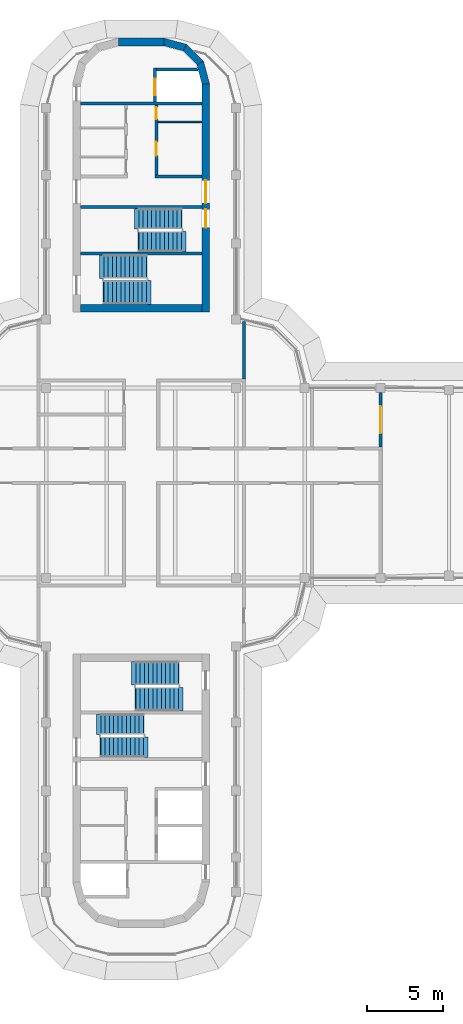
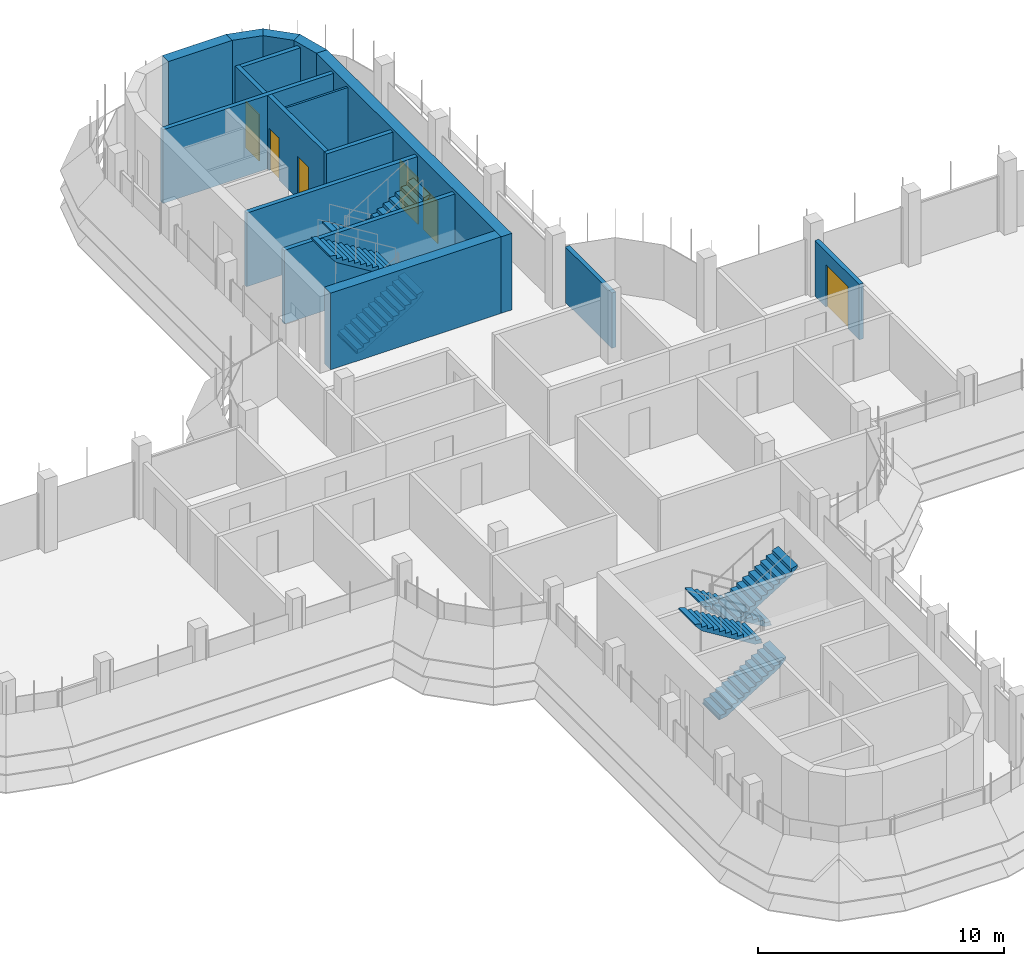
# One storey, part 15 of 19: 16 walls, 8 stair flights, 6 doors, 6 openings, 4 elements without a shape of their own.
"""IFC4 building model written with IfcOpenShell, lengths in metres."""

from ifc_helpers import new_model, si_unit, direction, frame, frame_2d, origin, place, context, subcontext, project, spatial, polyline, rectangle, outline, extrude, material, layer, layer_set, type_object, element, fill, aggregate, save


model = new_model("IFC4")

# Units and contexts
model_context = context("Model", 3, precision=1e-05, world=origin(), true_north=direction((0.0, 1.0)))
body_context = subcontext(model_context, "Body", "Model", "MODEL_VIEW")
ifc_project = project(units=[si_unit("LENGTHUNIT", "METRE"), si_unit("AREAUNIT", "SQUARE_METRE"), si_unit("VOLUMEUNIT", "CUBIC_METRE"), si_unit("PLANEANGLEUNIT", "RADIAN"), si_unit("MASSUNIT", "GRAM", prefix="KILO")], contexts=[model_context])

# Site, building, storey
site_placement = place(None, origin())
site = spatial("IfcSite", under=ifc_project, at=site_placement, CompositionType="ELEMENT")
building_placement = place(site_placement, origin())
building = spatial("IfcBuilding", under=site, at=building_placement, Name="Zarbagh Exchange Tower", CompositionType="ELEMENT")
storey_placement = place(building_placement, frame((0.0, 0.0, 253.60009765625)))
storey = spatial("IfcBuildingStorey", under=building, at=storey_placement, Name="L62", CompositionType="ELEMENT", Elevation=253.60009765625)

# Walls
ifc_material_1 = material(Name="Dense blockwork", Category="masonry")
ifc_layer_1 = layer(ifc_material_1, 0.10009765625)
ifc_layer_set_1 = layer_set([ifc_layer_1], Name="Core partition 100 mm blockwork")
wall_type_1 = type_object("IfcWallType", Name="Core partition 100 mm blockwork", PredefinedType="PARTITIONING", material=ifc_layer_set_1)
wall_1_placement = place(storey_placement, frame((1.10009765625, 23.75, 0.0), z_axis=(0.0, 0.0, 1.0), x_axis=(1.0, 0.0, 0.0)))
element("IfcWall", 1, at=wall_1_placement, inside=storey, type_object=wall_type_1, Name="North core partition wall CUT-E-460", PredefinedType="PARTITIONING", context=body_context, shape_type="SweptSolid", body=[
    extrude(rectangle(XDim=2.89990234375, YDim=0.10009765625, at=frame_2d((1.449951171875, 0.0))), origin(), (0.0, 0.0, 1.0), 3.64990234375),
])
ifc_material_2 = material(Name="Fire-rated plasterboard partition")
ifc_layer_2 = layer(ifc_material_2, 0.199951171875)
ifc_layer_set_2 = layer_set([ifc_layer_2], Name="RATED PARTITION 200")
wall_type_2 = type_object("IfcWallType", Name="RATED PARTITION 200", PredefinedType="PARTITIONING", material=ifc_layer_set_2)
wall_2_placement = place(storey_placement, frame((6.75, 6.85009765625, 0.0), z_axis=(0.0, 0.0, 1.0), x_axis=(0.0, 1.0, 0.0)))
element("IfcWall", 2, at=wall_2_placement, inside=storey, type_object=wall_type_2, Name="Partition W-2721", PredefinedType="PARTITIONING", context=body_context, shape_type="SweptSolid", body=[
    extrude(rectangle(XDim=3.77978515625, YDim=0.199951171875, at=frame_2d((1.889892578125, 0.0))), origin(), (0.0, 0.0, 1.0), 2.75),
])

# Wall, opening, door
wall_3_placement = place(storey_placement, frame((15.75, 5.949951171875, 0.0), z_axis=(0.0, 0.0, 1.0), x_axis=(0.0, -1.0, 0.0)))
wall_3 = element("IfcWall", 3, at=wall_3_placement, inside=storey, type_object=wall_type_2, Name="Partition W-2739", PredefinedType="PARTITIONING", context=body_context, shape_type="SweptSolid", body=[
    extrude(rectangle(XDim=3.599853515625, YDim=0.199951171875, at=frame_2d((1.7998046875, 0.0))), origin(), (0.0, 0.0, 1.0), 2.75),
])
opening_1_placement = place(wall_3_placement, frame((0.89990234375, 0.0, 0.0)))
opening_1 = element("IfcOpeningElement", 4, at=opening_1_placement, cuts=wall_3, Name="Opening D-2701", PredefinedType="OPENING", context=body_context, shape_type="SweptSolid", body=[
    extrude(rectangle(XDim=1.800048828125, YDim=2.10009765625, at=frame_2d((0.89990234375, 1.050048828125))), frame((0.0, 0.10986328125, 0.0), z_axis=(0.0, -1.0, 0.0), x_axis=(1.0, 0.0, 0.0)), (0.0, 0.0, 1.0), 0.219970703125),
])
ifc_material_3 = material(Name="Steel door set", Category="steel")
door_type_1 = type_object("IfcDoorType", Name="FIRE DOUBLE DOOR 1800 X 2100 FD30S", OperationType="DOUBLE_DOOR_SINGLE_SWING", PredefinedType="DOOR", material=ifc_material_3)
door_1_placement = place(opening_1_placement, origin())
door_1 = element("IfcDoor", 5, at=door_1_placement, inside=storey, type_object=door_type_1, Name="Door D-2701", OperationType="DOUBLE_DOOR_SINGLE_SWING", OverallHeight=2.10009765625, OverallWidth=1.800048828125, PredefinedType="DOOR", context=body_context, shape_type="SweptSolid", body=[
    extrude(rectangle(XDim=1.800048828125, YDim=2.10009765625, at=frame_2d((0.89990234375, 1.050048828125))), frame((0.0, 0.02490234375, 0.0), z_axis=(0.0, -1.0, 0.0), x_axis=(1.0, 0.0, 0.0)), (0.0, 0.0, 1.0), 0.050048828125),
])
fill(opening_1, door_1)

# Walls
ifc_material_4 = material(Name="Concrete C40/50", Category="concrete")
ifc_layer_3 = layer(ifc_material_4, 0.5)
ifc_layer_set_3 = layer_set([ifc_layer_3], Name="RC core corner wall 500 C40/50")
wall_type_3 = type_object("IfcWallType", Name="RC core corner wall 500 C40/50", PredefinedType="SHEAR", material=ifc_layer_set_3)
wall_4_placement = place(storey_placement, origin())
element("IfcWall", 6, at=wall_4_placement, inside=storey, type_object=wall_type_3, Name="CW10 core N corner E", PredefinedType="SHEAR", context=body_context, shape_type="SweptSolid", body=[
    extrude(outline(polyline([(4.5, 26.25), (4.09814453125, 27.75), (3.6650390625, 27.5), (4.0, 26.25), (4.5, 26.25)])), origin(), (0.0, 0.0, 1.0), 3.7998046875),
])
wall_5_placement = place(storey_placement, origin())
element("IfcWall", 7, at=wall_5_placement, inside=storey, type_object=wall_type_3, Name="CW10 core N corner E", PredefinedType="SHEAR", context=body_context, shape_type="SweptSolid", body=[
    extrude(outline(polyline([(4.09814453125, 27.75), (3.0, 28.84814453125), (2.75, 28.4150390625), (3.6650390625, 27.5), (4.09814453125, 27.75)])), origin(), (0.0, 0.0, 1.0), 3.7998046875),
])
wall_6_placement = place(storey_placement, origin())
element("IfcWall", 8, at=wall_6_placement, inside=storey, type_object=wall_type_3, Name="CW10 core N corner E", PredefinedType="SHEAR", context=body_context, shape_type="SweptSolid", body=[
    extrude(outline(polyline([(3.0, 28.84814453125), (1.5, 29.25), (1.5, 28.75), (2.75, 28.4150390625), (3.0, 28.84814453125)])), origin(), (0.0, 0.0, 1.0), 3.7998046875),
])

# Wall, openings, doors
ifc_layer_4 = layer(ifc_material_4, 0.5)
ifc_layer_set_4 = layer_set([ifc_layer_4], Name="RC core wall 500 C40/50")
wall_type_4 = type_object("IfcWallType", Name="RC core wall 500 C40/50", PredefinedType="SHEAR", material=ifc_layer_set_4)
wall_7_placement = place(storey_placement, frame((4.25, 11.25, 0.0), z_axis=(0.0, 0.0, 1.0), x_axis=(0.0, 1.0, 0.0)))
wall_7 = element("IfcWall", 9, at=wall_7_placement, inside=storey, type_object=wall_type_4, Name="CW9 core N E", PredefinedType="SHEAR", context=body_context, shape_type="SweptSolid", body=[
    extrude(rectangle(XDim=15.0, YDim=0.5, at=frame_2d((7.5, 0.0))), origin(), (0.0, 0.0, 1.0), 3.7998046875),
])
opening_2_placement = place(wall_7_placement, frame((7.14990234375, 0.0, 0.0)))
opening_2 = element("IfcOpeningElement", 10, at=opening_2_placement, cuts=wall_7, Name="Opening CD1-1500", PredefinedType="OPENING", context=body_context, shape_type="SweptSolid", body=[
    extrude(rectangle(XDim=1.5, YDim=2.300048828125, at=frame_2d((0.75, 1.14990234375))), frame((0.0, 0.260009765625, 0.0), z_axis=(0.0, -1.0, 0.0), x_axis=(1.0, 0.0, 0.0)), (0.0, 0.0, 1.0), 0.52001953125),
])
opening_3_placement = place(wall_7_placement, frame((5.550048828125, 0.0, 0.0)))
opening_3 = element("IfcOpeningElement", 11, at=opening_3_placement, cuts=wall_7, Name="Opening SD1-1200", PredefinedType="OPENING", context=body_context, shape_type="SweptSolid", body=[
    extrude(rectangle(XDim=1.199951171875, YDim=2.10009765625, at=frame_2d((0.60009765625, 1.050048828125))), frame((0.0, 0.260009765625, 0.0), z_axis=(0.0, -1.0, 0.0), x_axis=(1.0, 0.0, 0.0)), (0.0, 0.0, 1.0), 0.52001953125),
])
ifc_material_5 = material(Name="Steel", Category="steel")
door_type_2 = type_object("IfcDoorType", Name="Exit stair door 1200 x 2100", OperationType="NOTDEFINED", PredefinedType="DOOR", material=ifc_material_5)
door_2_placement = place(opening_3_placement, origin())
door_2 = element("IfcDoor", 12, at=door_2_placement, inside=storey, type_object=door_type_2, Name="North core stair door ST1", OperationType="SINGLE_SWING_LEFT", OverallHeight=2.10009765625, OverallWidth=1.199951171875, PredefinedType="DOOR", context=body_context, shape_type="SweptSolid", body=[
    extrude(rectangle(XDim=1.199951171875, YDim=2.10009765625, at=frame_2d((0.60009765625, 1.050048828125))), frame((0.0, 0.02490234375, 0.0), z_axis=(0.0, -1.0, 0.0), x_axis=(1.0, 0.0, 0.0)), (0.0, 0.0, 1.0), 0.050048828125),
])
fill(opening_3, door_2)
door_type_3 = type_object("IfcDoorType", Name="Lift lobby double door 1500 x 2300", OperationType="NOTDEFINED", PredefinedType="DOOR", material=ifc_material_5)
door_3_placement = place(opening_2_placement, origin())
door_3 = element("IfcDoor", 13, at=door_3_placement, inside=storey, type_object=door_type_3, Name="North core lift lobby door LOBBY-E", OperationType="DOUBLE_DOOR_SINGLE_SWING", OverallHeight=2.300048828125, OverallWidth=1.5, PredefinedType="DOOR", context=body_context, shape_type="SweptSolid", body=[
    extrude(rectangle(XDim=1.5, YDim=2.300048828125, at=frame_2d((0.75, 1.14990234375))), frame((0.0, 0.02490234375, 0.0), z_axis=(0.0, -1.0, 0.0), x_axis=(1.0, 0.0, 0.0)), (0.0, 0.0, 1.0), 0.050048828125),
])
fill(opening_2, door_3)

# Walls
wall_8_placement = place(storey_placement, frame((-4.0, 11.5, 0.0), z_axis=(0.0, 0.0, 1.0), x_axis=(1.0, 0.0, 0.0)))
element("IfcWall", 14, at=wall_8_placement, inside=storey, type_object=wall_type_4, Name="CW9 core N inner end", PredefinedType="SHEAR", context=body_context, shape_type="SweptSolid", body=[
    extrude(rectangle(XDim=8.0, YDim=0.5, at=frame_2d((4.0, 0.0))), origin(), (0.0, 0.0, 1.0), 3.7998046875),
])
wall_9_placement = place(storey_placement, frame((-1.5, 29.0, 0.0), z_axis=(0.0, 0.0, 1.0), x_axis=(1.0, 0.0, 0.0)))
element("IfcWall", 15, at=wall_9_placement, inside=storey, type_object=wall_type_4, Name="CW9 core N outer end", PredefinedType="SHEAR", context=body_context, shape_type="SweptSolid", body=[
    extrude(rectangle(XDim=3.0, YDim=0.5, at=frame_2d((1.5, 0.0))), origin(), (0.0, 0.0, 1.0), 3.7998046875),
])
ifc_layer_5 = layer(ifc_material_1, 0.199951171875)
ifc_layer_set_5 = layer_set([ifc_layer_5], Name="Shaft wall 200 mm blockwork")
wall_type_5 = type_object("IfcWallType", Name="Shaft wall 200 mm blockwork", PredefinedType="PARTITIONING", material=ifc_layer_set_5)
wall_10_placement = place(storey_placement, frame((0.89990234375, 20.14990234375, 0.0), z_axis=(0.0, 0.0, 1.0), x_axis=(1.0, 0.0, 0.0)))
element("IfcWall", 16, at=wall_10_placement, inside=storey, type_object=wall_type_5, Name="North core shaft wall AB-E", PredefinedType="PARTITIONING", context=body_context, shape_type="SweptSolid", body=[
    extrude(rectangle(XDim=3.10009765625, YDim=0.199951171875, at=frame_2d((1.550048828125, 0.0))), origin(), (0.0, 0.0, 1.0), 3.64990234375),
])

# Wall, openings, doors
wall_11_placement = place(storey_placement, frame((1.0, 24.85009765625, 0.0), z_axis=(0.0, 0.0, 1.0), x_axis=(0.0, -1.0, 0.0)))
wall_11 = element("IfcWall", 17, at=wall_11_placement, inside=storey, type_object=wall_type_5, Name="North core shaft wall LW-E", PredefinedType="PARTITIONING", context=body_context, shape_type="SweptSolid", body=[
    extrude(rectangle(XDim=4.60009765625, YDim=0.199951171875, at=frame_2d((2.300048828125, 0.0))), origin(), (0.0, 0.0, 1.0), 3.64990234375),
])
opening_4_placement = place(wall_11_placement, frame((0.125, 0.0, 0.0)))
opening_4 = element("IfcOpeningElement", 18, at=opening_4_placement, cuts=wall_11, Name="Opening CD3-800", PredefinedType="OPENING", context=body_context, shape_type="SweptSolid", body=[
    extrude(rectangle(XDim=0.800048828125, YDim=2.10009765625, at=frame_2d((0.39990234375, 1.050048828125))), frame((0.0, 0.10986328125, 0.0), z_axis=(0.0, -1.0, 0.0), x_axis=(1.0, 0.0, 0.0)), (0.0, 0.0, 1.0), 0.219970703125),
])
opening_5_placement = place(wall_11_placement, frame((2.425048828125, 0.0, 0.0)))
opening_5 = element("IfcOpeningElement", 19, at=opening_5_placement, cuts=wall_11, Name="Opening CD3-900", PredefinedType="OPENING", context=body_context, shape_type="SweptSolid", body=[
    extrude(rectangle(XDim=0.89990234375, YDim=2.10009765625, at=frame_2d((0.449951171875, 1.050048828125))), frame((0.0, 0.10986328125, 0.0), z_axis=(0.0, -1.0, 0.0), x_axis=(1.0, 0.0, 0.0)), (0.0, 0.0, 1.0), 0.219970703125),
])
door_type_4 = type_object("IfcDoorType", Name="Core room door 800 x 2100", OperationType="NOTDEFINED", PredefinedType="DOOR", material=ifc_material_5)
door_4_placement = place(opening_4_placement, origin())
door_4 = element("IfcDoor", 20, at=door_4_placement, inside=storey, type_object=door_type_4, Name="North core Store door RD-E-0", OperationType="SINGLE_SWING_LEFT", OverallHeight=2.10009765625, OverallWidth=0.800048828125, PredefinedType="DOOR", context=body_context, shape_type="SweptSolid", body=[
    extrude(rectangle(XDim=0.800048828125, YDim=2.10009765625, at=frame_2d((0.39990234375, 1.050048828125))), frame((0.0, 0.02490234375, 0.0), z_axis=(0.0, -1.0, 0.0), x_axis=(1.0, 0.0, 0.0)), (0.0, 0.0, 1.0), 0.050048828125),
])
fill(opening_4, door_4)
door_type_5 = type_object("IfcDoorType", Name="Core room door 900 x 2100", OperationType="NOTDEFINED", PredefinedType="DOOR", material=ifc_material_5)
door_5_placement = place(opening_5_placement, origin())
door_5 = element("IfcDoor", 21, at=door_5_placement, inside=storey, type_object=door_type_5, Name="North core Staff WC door RD-E-1", OperationType="SINGLE_SWING_RIGHT", OverallHeight=2.10009765625, OverallWidth=0.89990234375, PredefinedType="DOOR", context=body_context, shape_type="SweptSolid", body=[
    extrude(rectangle(XDim=0.89990234375, YDim=2.10009765625, at=frame_2d((0.449951171875, 1.050048828125))), frame((0.0, 0.02490234375, 0.0), z_axis=(0.0, -1.0, 0.0), x_axis=(1.0, 0.0, 0.0)), (0.0, 0.0, 1.0), 0.050048828125),
])
fill(opening_5, door_5)

# Wall
ifc_layer_6 = layer(ifc_material_4, 0.199951171875)
ifc_layer_set_6 = layer_set([ifc_layer_6], Name="Stair enclosure wall 200 mm RC C40/50")
wall_type_6 = type_object("IfcWallType", Name="Stair enclosure wall 200 mm RC C40/50", PredefinedType="SHEAR", material=ifc_layer_set_6)
wall_12_placement = place(storey_placement, frame((-4.0, 24.949951171875, 0.0), z_axis=(0.0, 0.0, 1.0), x_axis=(1.0, 0.0, 0.0)))
element("IfcWall", 22, at=wall_12_placement, inside=storey, type_object=wall_type_6, Name="North core lift shaft wall FFA", PredefinedType="SHEAR", context=body_context, shape_type="SweptSolid", body=[
    extrude(rectangle(XDim=8.0, YDim=0.199951171875, at=frame_2d((4.0, 0.0))), origin(), (0.0, 0.0, 1.0), 3.64990234375),
])

# Wall, opening, door
wall_13_placement = place(storey_placement, frame((0.89990234375, 27.300048828125, 0.0), z_axis=(0.0, 0.0, 1.0), x_axis=(0.0, -1.0, 0.0)))
wall_13 = element("IfcWall", 23, at=wall_13_placement, inside=storey, type_object=wall_type_6, Name="North core lift shaft wall FFL", PredefinedType="SHEAR", context=body_context, shape_type="SweptSolid", body=[
    extrude(rectangle(XDim=2.25, YDim=0.199951171875, at=frame_2d((1.125, 0.0))), origin(), (0.0, 0.0, 1.0), 3.64990234375),
])
opening_6_placement = place(wall_13_placement, frame((0.699951171875, 0.0, 0.0)))
opening_6 = element("IfcOpeningElement", 24, at=opening_6_placement, cuts=wall_13, Name="Opening LD-1100", PredefinedType="OPENING", context=body_context, shape_type="SweptSolid", body=[
    extrude(rectangle(XDim=1.10009765625, YDim=2.300048828125, at=frame_2d((0.550048828125, 1.14990234375))), frame((0.0, 0.10986328125, 0.0), z_axis=(0.0, -1.0, 0.0), x_axis=(1.0, 0.0, 0.0)), (0.0, 0.0, 1.0), 0.219970703125),
])
ifc_material_6 = material(Name="Stainless steel", Category="steel")
door_type_6 = type_object("IfcDoorType", Name="Lift landing door 1100 x 2300", OperationType="NOTDEFINED", PredefinedType="DOOR", material=ifc_material_6)
door_6_placement = place(opening_6_placement, origin())
door_6 = element("IfcDoor", 25, at=door_6_placement, inside=storey, type_object=door_type_6, Name="North core lift landing door LD-F", OperationType="DOUBLE_DOOR_SLIDING", OverallHeight=2.300048828125, OverallWidth=1.10009765625, PredefinedType="DOOR", context=body_context, shape_type="SweptSolid", body=[
    extrude(rectangle(XDim=1.10009765625, YDim=2.300048828125, at=frame_2d((0.550048828125, 1.14990234375))), frame((0.0, 0.02490234375, 0.0), z_axis=(0.0, -1.0, 0.0), x_axis=(1.0, 0.0, 0.0)), (0.0, 0.0, 1.0), 0.050048828125),
])
fill(opening_6, door_6)

# Walls
wall_14_placement = place(storey_placement, origin())
element("IfcWall", 26, at=wall_14_placement, inside=storey, type_object=wall_type_6, Name="North core lift shaft wall FFX", PredefinedType="SHEAR", context=body_context, shape_type="SweptSolid", body=[
    extrude(outline(polyline([(1.0, 27.10009765625), (3.754638671875, 27.10009765625), (3.700927734375, 27.300048828125), (1.0, 27.300048828125), (1.0, 27.10009765625)])), origin(), (0.0, 0.0, 1.0), 3.64990234375),
])
for number, where, z_axis, x_axis, name in (
    (27, (-4.0, 18.14990234375, 0.0), (0.0, 0.0, 1.0), (1.0, 0.0, 0.0), "North core stair wall BS"),
    (28, (-4.0, 15.10009765625, 0.0), (0.0, 0.0, 1.0), (1.0, 0.0, 0.0), "North core stair wall ST12"),
):
    element("IfcWall", number, at=place(storey_placement, frame(where, z_axis=z_axis, x_axis=x_axis)), inside=storey, type_object=wall_type_6, Name=name, PredefinedType="SHEAR", context=body_context, shape_type="SweptSolid", body=[
        extrude(rectangle(XDim=8.0, YDim=0.199951171875, at=frame_2d((4.0, 0.0))), origin(), (0.0, 0.0, 1.0), 3.64990234375),
    ])

# Stair, stair flights
stair_type = type_object("IfcStairType", Name="Exit stair two-flight half-turn", PredefinedType="HALF_TURN_STAIR", material=ifc_material_4)
stair_1_placement = place(storey_placement, origin())
stair_1 = element("IfcStair", 29, at=stair_1_placement, inside=storey, type_object=stair_type, Name="exit stair ST1", PredefinedType="HALF_TURN_STAIR")
stair_flight_type_1 = type_object("IfcStairFlightType", Name="Stair flight 1350 mm", PredefinedType="STRAIGHT", material=ifc_material_4)
stair_flight_1_placement = place(storey_placement, frame((2.64990234375, 17.375, 0.0), z_axis=(0.0, 0.0, 1.0), x_axis=(-1.0, 0.0, 0.0)))
stair_flight_1 = element("IfcStairFlight", 30, at=stair_flight_1_placement, type_object=stair_flight_type_1, Name="ST1 flight 1", NumberOfRisers=11, NumberOfTreads=10, PredefinedType="STRAIGHT", RiserHeight=0.172727273, TreadLength=0.28, context=body_context, shape_type="SweptSolid", body=[
    extrude(outline(polyline([(-0.050048828125, -0.050048828125), (-0.050048828125, 0.0), (0.0, 0.0), (0.0, 0.172607421875), (0.280029296875, 0.172607421875), (0.280029296875, 0.345458984375), (0.56005859375, 0.345458984375), (0.56005859375, 0.51806640625), (0.840087890625, 0.51806640625), (0.840087890625, 0.69091796875), (1.1201171875, 0.69091796875), (1.1201171875, 0.863525390625), (1.39990234375, 0.863525390625), (1.39990234375, 1.036376953125), (1.679931640625, 1.036376953125), (1.679931640625, 1.208984375), (1.9599609375, 1.208984375), (1.9599609375, 1.3818359375), (2.239990234375, 1.3818359375), (2.239990234375, 1.554443359375), (2.52001953125, 1.554443359375), (2.52001953125, 1.727294921875), (2.800048828125, 1.727294921875), (2.800048828125, 1.89990234375), (3.10009765625, 1.97998046875), (3.10009765625, 1.89990234375), (2.800048828125, 1.551025390625), (0.285400390625, 0.0), (-0.050048828125, -0.050048828125)])), frame((0.0, 0.675048828125, 0.0), z_axis=(0.0, -1.0, 0.0), x_axis=(1.0, 0.0, 0.0)), (0.0, 0.0, 1.0), 1.35009765625),
])
stair_flight_2_placement = place(storey_placement, frame((-0.14990234375, 15.875, 1.89990234375), z_axis=(0.0, 0.0, 1.0), x_axis=(1.0, 0.0, 0.0)))
stair_flight_2 = element("IfcStairFlight", 31, at=stair_flight_2_placement, type_object=stair_flight_type_1, Name="ST1 flight 2", NumberOfRisers=11, NumberOfTreads=10, PredefinedType="STRAIGHT", RiserHeight=0.172727273, TreadLength=0.28, context=body_context, shape_type="SweptSolid", body=[
    extrude(outline(polyline([(-0.050048828125, -0.050048828125), (-0.050048828125, 0.0), (0.0, 0.0), (0.0, 0.172607421875), (0.280029296875, 0.172607421875), (0.280029296875, 0.345458984375), (0.56005859375, 0.345458984375), (0.56005859375, 0.51806640625), (0.840087890625, 0.51806640625), (0.840087890625, 0.69091796875), (1.1201171875, 0.69091796875), (1.1201171875, 0.863525390625), (1.39990234375, 0.863525390625), (1.39990234375, 1.036376953125), (1.679931640625, 1.036376953125), (1.679931640625, 1.208984375), (1.9599609375, 1.208984375), (1.9599609375, 1.3818359375), (2.239990234375, 1.3818359375), (2.239990234375, 1.554443359375), (2.52001953125, 1.554443359375), (2.52001953125, 1.727294921875), (2.800048828125, 1.727294921875), (2.800048828125, 1.89990234375), (3.10009765625, 1.97998046875), (3.10009765625, 1.89990234375), (2.800048828125, 1.551025390625), (0.285400390625, 0.0), (-0.050048828125, -0.050048828125)])), frame((0.0, 0.675048828125, 0.0), z_axis=(0.0, -1.0, 0.0), x_axis=(1.0, 0.0, 0.0)), (0.0, 0.0, 1.0), 1.35009765625),
])
aggregate(stair_1, [stair_flight_1, stair_flight_2])

stair_2_placement = place(storey_placement, origin())
stair_2 = element("IfcStair", 32, at=stair_2_placement, inside=storey, type_object=stair_type, Name="exit stair ST3", PredefinedType="HALF_TURN_STAIR")
stair_flight_3_placement = place(storey_placement, frame((-2.64990234375, -17.375, 0.0), z_axis=(0.0, 0.0, 1.0), x_axis=(1.0, 0.0, 0.0)))
stair_flight_3 = element("IfcStairFlight", 33, at=stair_flight_3_placement, type_object=stair_flight_type_1, Name="ST3 flight 1", NumberOfRisers=11, NumberOfTreads=10, PredefinedType="STRAIGHT", RiserHeight=0.172727273, TreadLength=0.28, context=body_context, shape_type="SweptSolid", body=[
    extrude(outline(polyline([(-0.050048828125, -0.050048828125), (-0.050048828125, 0.0), (0.0, 0.0), (0.0, 0.172607421875), (0.280029296875, 0.172607421875), (0.280029296875, 0.345458984375), (0.56005859375, 0.345458984375), (0.56005859375, 0.51806640625), (0.840087890625, 0.51806640625), (0.840087890625, 0.69091796875), (1.1201171875, 0.69091796875), (1.1201171875, 0.863525390625), (1.39990234375, 0.863525390625), (1.39990234375, 1.036376953125), (1.679931640625, 1.036376953125), (1.679931640625, 1.208984375), (1.9599609375, 1.208984375), (1.9599609375, 1.3818359375), (2.239990234375, 1.3818359375), (2.239990234375, 1.554443359375), (2.52001953125, 1.554443359375), (2.52001953125, 1.727294921875), (2.800048828125, 1.727294921875), (2.800048828125, 1.89990234375), (3.10009765625, 1.97998046875), (3.10009765625, 1.89990234375), (2.800048828125, 1.551025390625), (0.285400390625, 0.0), (-0.050048828125, -0.050048828125)])), frame((0.0, 0.675048828125, 0.0), z_axis=(0.0, -1.0, 0.0), x_axis=(1.0, 0.0, 0.0)), (0.0, 0.0, 1.0), 1.35009765625),
])
stair_flight_4_placement = place(storey_placement, frame((0.14990234375, -15.875, 1.89990234375), z_axis=(0.0, 0.0, 1.0), x_axis=(-1.0, 0.0, 0.0)))
stair_flight_4 = element("IfcStairFlight", 34, at=stair_flight_4_placement, type_object=stair_flight_type_1, Name="ST3 flight 2", NumberOfRisers=11, NumberOfTreads=10, PredefinedType="STRAIGHT", RiserHeight=0.172727273, TreadLength=0.28, context=body_context, shape_type="SweptSolid", body=[
    extrude(outline(polyline([(-0.050048828125, -0.050048828125), (-0.050048828125, 0.0), (0.0, 0.0), (0.0, 0.172607421875), (0.280029296875, 0.172607421875), (0.280029296875, 0.345458984375), (0.56005859375, 0.345458984375), (0.56005859375, 0.51806640625), (0.840087890625, 0.51806640625), (0.840087890625, 0.69091796875), (1.1201171875, 0.69091796875), (1.1201171875, 0.863525390625), (1.39990234375, 0.863525390625), (1.39990234375, 1.036376953125), (1.679931640625, 1.036376953125), (1.679931640625, 1.208984375), (1.9599609375, 1.208984375), (1.9599609375, 1.3818359375), (2.239990234375, 1.3818359375), (2.239990234375, 1.554443359375), (2.52001953125, 1.554443359375), (2.52001953125, 1.727294921875), (2.800048828125, 1.727294921875), (2.800048828125, 1.89990234375), (3.10009765625, 1.97998046875), (3.10009765625, 1.89990234375), (2.800048828125, 1.551025390625), (0.285400390625, 0.0), (-0.050048828125, -0.050048828125)])), frame((0.0, 0.675048828125, 0.0), z_axis=(0.0, -1.0, 0.0), x_axis=(1.0, 0.0, 0.0)), (0.0, 0.0, 1.0), 1.35009765625),
])
aggregate(stair_2, [stair_flight_3, stair_flight_4])

stair_3_placement = place(storey_placement, origin())
stair_3 = element("IfcStair", 35, at=stair_3_placement, inside=storey, type_object=stair_type, Name="exit stair ST2", PredefinedType="HALF_TURN_STAIR")
stair_flight_type_2 = type_object("IfcStairFlightType", Name="Stair flight 1550 mm", PredefinedType="STRAIGHT", material=ifc_material_4)
stair_flight_5_placement = place(storey_placement, frame((-2.449951171875, 12.52490234375, 0.0), z_axis=(0.0, 0.0, 1.0), x_axis=(1.0, 0.0, 0.0)))
stair_flight_5 = element("IfcStairFlight", 36, at=stair_flight_5_placement, type_object=stair_flight_type_2, Name="ST2 flight 1", NumberOfRisers=11, NumberOfTreads=10, PredefinedType="STRAIGHT", RiserHeight=0.172727273, TreadLength=0.28, context=body_context, shape_type="SweptSolid", body=[
    extrude(outline(polyline([(-0.050048828125, -0.050048828125), (-0.050048828125, 0.0), (0.0, 0.0), (0.0, 0.172607421875), (0.280029296875, 0.172607421875), (0.280029296875, 0.345458984375), (0.56005859375, 0.345458984375), (0.56005859375, 0.51806640625), (0.840087890625, 0.51806640625), (0.840087890625, 0.69091796875), (1.1201171875, 0.69091796875), (1.1201171875, 0.863525390625), (1.39990234375, 0.863525390625), (1.39990234375, 1.036376953125), (1.679931640625, 1.036376953125), (1.679931640625, 1.208984375), (1.9599609375, 1.208984375), (1.9599609375, 1.3818359375), (2.239990234375, 1.3818359375), (2.239990234375, 1.554443359375), (2.52001953125, 1.554443359375), (2.52001953125, 1.727294921875), (2.800048828125, 1.727294921875), (2.800048828125, 1.89990234375), (3.10009765625, 1.97998046875), (3.10009765625, 1.89990234375), (2.800048828125, 1.551025390625), (0.285400390625, 0.0), (-0.050048828125, -0.050048828125)])), frame((0.0, 0.77490234375, 0.0), z_axis=(0.0, -1.0, 0.0), x_axis=(1.0, 0.0, 0.0)), (0.0, 0.0, 1.0), 1.550048828125),
])
stair_flight_6_placement = place(storey_placement, frame((0.35009765625, 14.22509765625, 1.89990234375), z_axis=(0.0, 0.0, 1.0), x_axis=(-1.0, 0.0, 0.0)))
stair_flight_6 = element("IfcStairFlight", 37, at=stair_flight_6_placement, type_object=stair_flight_type_2, Name="ST2 flight 2", NumberOfRisers=11, NumberOfTreads=10, PredefinedType="STRAIGHT", RiserHeight=0.172727273, TreadLength=0.28, context=body_context, shape_type="SweptSolid", body=[
    extrude(outline(polyline([(-0.050048828125, -0.050048828125), (-0.050048828125, 0.0), (0.0, 0.0), (0.0, 0.172607421875), (0.280029296875, 0.172607421875), (0.280029296875, 0.345458984375), (0.56005859375, 0.345458984375), (0.56005859375, 0.51806640625), (0.840087890625, 0.51806640625), (0.840087890625, 0.69091796875), (1.1201171875, 0.69091796875), (1.1201171875, 0.863525390625), (1.39990234375, 0.863525390625), (1.39990234375, 1.036376953125), (1.679931640625, 1.036376953125), (1.679931640625, 1.208984375), (1.9599609375, 1.208984375), (1.9599609375, 1.3818359375), (2.239990234375, 1.3818359375), (2.239990234375, 1.554443359375), (2.52001953125, 1.554443359375), (2.52001953125, 1.727294921875), (2.800048828125, 1.727294921875), (2.800048828125, 1.89990234375), (3.10009765625, 1.97998046875), (3.10009765625, 1.89990234375), (2.800048828125, 1.551025390625), (0.285400390625, 0.0), (-0.050048828125, -0.050048828125)])), frame((0.0, 0.77490234375, 0.0), z_axis=(0.0, -1.0, 0.0), x_axis=(1.0, 0.0, 0.0)), (0.0, 0.0, 1.0), 1.550048828125),
])
aggregate(stair_3, [stair_flight_5, stair_flight_6])

stair_4_placement = place(storey_placement, origin())
stair_4 = element("IfcStair", 38, at=stair_4_placement, inside=storey, type_object=stair_type, Name="exit stair ST4", PredefinedType="HALF_TURN_STAIR")
stair_flight_7_placement = place(storey_placement, frame((2.449951171875, -12.52490234375, 0.0), z_axis=(0.0, 0.0, 1.0), x_axis=(-1.0, 0.0, 0.0)))
stair_flight_7 = element("IfcStairFlight", 39, at=stair_flight_7_placement, type_object=stair_flight_type_2, Name="ST4 flight 1", NumberOfRisers=11, NumberOfTreads=10, PredefinedType="STRAIGHT", RiserHeight=0.172727273, TreadLength=0.28, context=body_context, shape_type="SweptSolid", body=[
    extrude(outline(polyline([(-0.050048828125, -0.050048828125), (-0.050048828125, 0.0), (0.0, 0.0), (0.0, 0.172607421875), (0.280029296875, 0.172607421875), (0.280029296875, 0.345458984375), (0.56005859375, 0.345458984375), (0.56005859375, 0.51806640625), (0.840087890625, 0.51806640625), (0.840087890625, 0.69091796875), (1.1201171875, 0.69091796875), (1.1201171875, 0.863525390625), (1.39990234375, 0.863525390625), (1.39990234375, 1.036376953125), (1.679931640625, 1.036376953125), (1.679931640625, 1.208984375), (1.9599609375, 1.208984375), (1.9599609375, 1.3818359375), (2.239990234375, 1.3818359375), (2.239990234375, 1.554443359375), (2.52001953125, 1.554443359375), (2.52001953125, 1.727294921875), (2.800048828125, 1.727294921875), (2.800048828125, 1.89990234375), (3.10009765625, 1.97998046875), (3.10009765625, 1.89990234375), (2.800048828125, 1.551025390625), (0.285400390625, 0.0), (-0.050048828125, -0.050048828125)])), frame((0.0, 0.77490234375, 0.0), z_axis=(0.0, -1.0, 0.0), x_axis=(1.0, 0.0, 0.0)), (0.0, 0.0, 1.0), 1.550048828125),
])
stair_flight_8_placement = place(storey_placement, frame((-0.35009765625, -14.22509765625, 1.89990234375), z_axis=(0.0, 0.0, 1.0), x_axis=(1.0, 0.0, 0.0)))
stair_flight_8 = element("IfcStairFlight", 40, at=stair_flight_8_placement, type_object=stair_flight_type_2, Name="ST4 flight 2", NumberOfRisers=11, NumberOfTreads=10, PredefinedType="STRAIGHT", RiserHeight=0.172727273, TreadLength=0.28, context=body_context, shape_type="SweptSolid", body=[
    extrude(outline(polyline([(-0.050048828125, -0.050048828125), (-0.050048828125, 0.0), (0.0, 0.0), (0.0, 0.172607421875), (0.280029296875, 0.172607421875), (0.280029296875, 0.345458984375), (0.56005859375, 0.345458984375), (0.56005859375, 0.51806640625), (0.840087890625, 0.51806640625), (0.840087890625, 0.69091796875), (1.1201171875, 0.69091796875), (1.1201171875, 0.863525390625), (1.39990234375, 0.863525390625), (1.39990234375, 1.036376953125), (1.679931640625, 1.036376953125), (1.679931640625, 1.208984375), (1.9599609375, 1.208984375), (1.9599609375, 1.3818359375), (2.239990234375, 1.3818359375), (2.239990234375, 1.554443359375), (2.52001953125, 1.554443359375), (2.52001953125, 1.727294921875), (2.800048828125, 1.727294921875), (2.800048828125, 1.89990234375), (3.10009765625, 1.97998046875), (3.10009765625, 1.89990234375), (2.800048828125, 1.551025390625), (0.285400390625, 0.0), (-0.050048828125, -0.050048828125)])), frame((0.0, 0.77490234375, 0.0), z_axis=(0.0, -1.0, 0.0), x_axis=(1.0, 0.0, 0.0)), (0.0, 0.0, 1.0), 1.550048828125),
])
aggregate(stair_4, [stair_flight_7, stair_flight_8])

save(model, "model.ifc")
